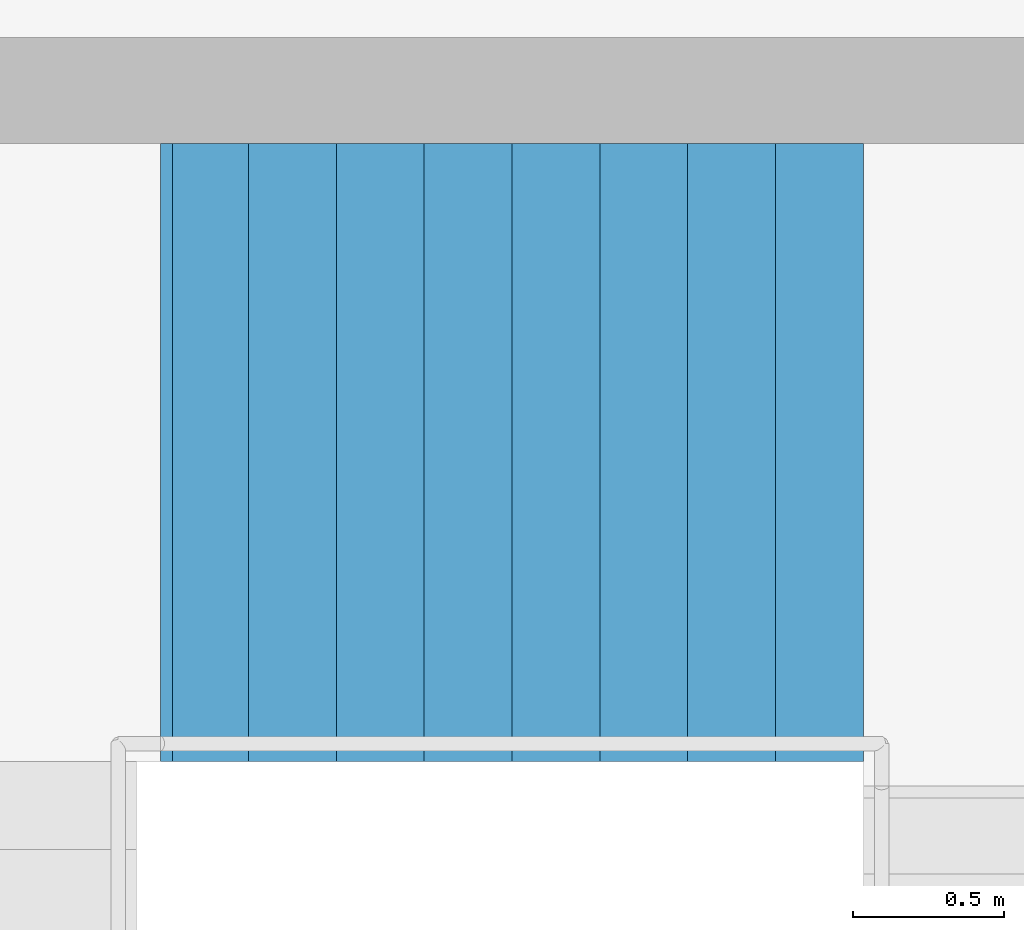
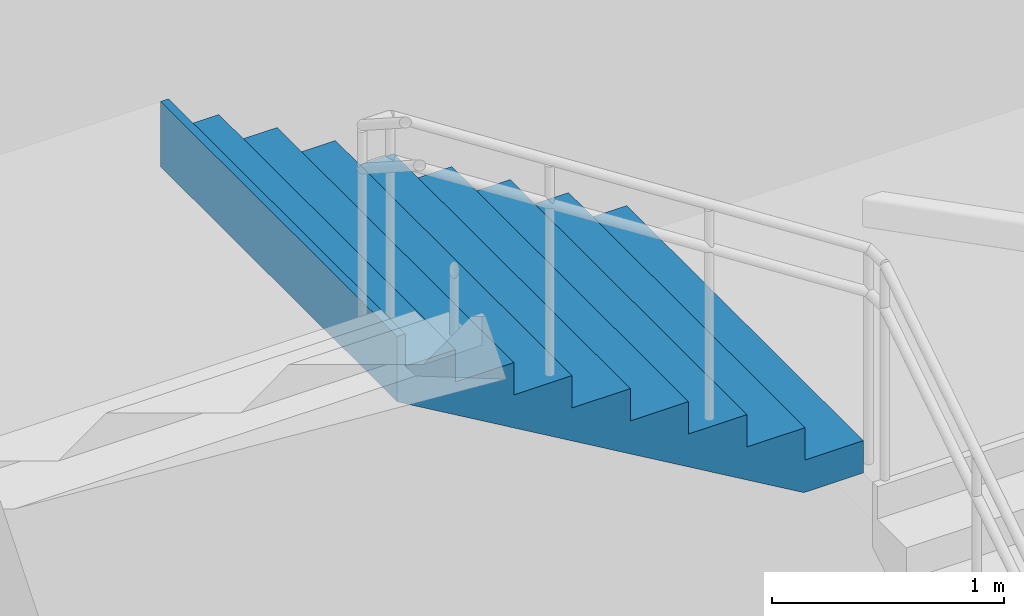
# One storey, part 45 of 58: 1 stair flight, 1 element without a shape of its own.
"""IFC4 building model written with IfcOpenShell, lengths in metres."""

from ifc_helpers import new_model, si_unit, direction, frame, origin, place, context, subcontext, project, spatial, triangles, material, type_object, element, aggregate, save


model = new_model("IFC4")

# Units and contexts
model_context = context("Model", 3, precision=1e-05, world=origin(), true_north=direction((0.0, 1.0)))
body_context = subcontext(model_context, "Body", "Model", "MODEL_VIEW")
ifc_project = project(units=[si_unit("LENGTHUNIT", "METRE"), si_unit("AREAUNIT", "SQUARE_METRE"), si_unit("VOLUMEUNIT", "CUBIC_METRE"), si_unit("PLANEANGLEUNIT", "RADIAN"), si_unit("MASSUNIT", "GRAM", prefix="KILO")], contexts=[model_context])

# Site, building, storey
site_placement = place(None, origin())
site = spatial("IfcSite", under=ifc_project, at=site_placement, CompositionType="ELEMENT")
building_placement = place(site_placement, origin())
building = spatial("IfcBuilding", under=site, at=building_placement, Name="Sillaruma Civic Art Gallery", CompositionType="ELEMENT")
storey_placement = place(building_placement, frame((0.0, 0.0, 22.43994140625)))
storey = spatial("IfcBuildingStorey", under=building, at=storey_placement, Name="L04", CompositionType="ELEMENT", Elevation=22.43994140625)

# Stair, stair flight
ifc_material = material(Name="Concrete H35 (35 MPa)", Category="concrete")
stair_type = type_object("IfcStairType", Name="STR-4F-36", PredefinedType="USERDEFINED", material=ifc_material)
stair_placement = place(storey_placement, origin())
stair = element("IfcStair", 1, at=stair_placement, inside=storey, type_object=stair_type, Name="Protected Exit Stair ST-03 (West Bar South) (L04)", ObjectType="THREE_RETURN_STAIR", PredefinedType="USERDEFINED")
stair_flight_type = type_object("IfcStairFlightType", Name="SFL-STR-9", PredefinedType="STRAIGHT", material=ifc_material)
stair_flight_placement = place(storey_placement, frame((67.199951171875, 36.8701171875, 3.06005859375), z_axis=(0.0, 0.0, 1.0), x_axis=(-1.0, 0.0, 0.0)))
stair_flight = element("IfcStairFlight", 2, at=stair_flight_placement, type_object=stair_flight_type, Name="ST-03 flight 3", NumberOfRisers=9, NumberOfTreads=8, PredefinedType="STRAIGHT", RiserHeight=0.17, TreadLength=0.29, context=body_context, shape_type="Tessellation", body=[
    triangles([(0.0, -1.02001953125, 0.0), (0.29, -1.02001953125, 0.0), (0.296482, -1.02001953125, 0.0), (0.58, -1.02001953125, 0.1662), (0.87, -1.02001953125, 0.3362), (1.16, -1.02001953125, 0.5062), (1.45, -1.02001953125, 0.6762), (1.74, -1.02001953125, 0.8462), (2.03, -1.02001953125, 1.0162), (2.280068, -1.02001953125, 1.162792), (2.320068, -1.02001953125, 1.18624), (2.320068, -1.02001953125, 1.53), (2.280068, -1.02001953125, 1.53), (2.280068, -1.02001953125, 1.36), (2.03, -1.02001953125, 1.36), (2.03, -1.02001953125, 1.19), (1.74, -1.02001953125, 1.19), (1.74, -1.02001953125, 1.02), (1.45, -1.02001953125, 1.02), (1.45, -1.02001953125, 0.85), (1.16, -1.02001953125, 0.85), (1.16, -1.02001953125, 0.68), (0.87, -1.02001953125, 0.68), (0.87, -1.02001953125, 0.51), (0.58, -1.02001953125, 0.51), (0.58, -1.02001953125, 0.34), (0.296482, -1.02001953125, 0.34), (0.29, -1.02001953125, 0.34), (0.29, -1.02001953125, 0.17), (0.0, -1.02001953125, 0.17), (0.0, -0.05, 0.0), (0.29, -0.05, 0.0), (0.296482, -0.05, 0.0), (0.58, -0.05, 0.1662), (0.87, -0.05, 0.3362), (1.16, -0.05, 0.5062), (1.45, -0.05, 0.6762), (1.74, -0.05, 0.8462), (2.03, -0.05, 1.0162), (2.280068, -0.05, 1.162792), (2.320068, -0.05, 1.18624), (2.320068, -0.05, 1.53), (2.280068, -0.05, 1.53), (2.280068, -0.05, 1.36), (2.03, -0.05, 1.36), (2.03, -0.05, 1.19), (1.74, -0.05, 1.19), (1.74, -0.05, 1.02), (1.45, -0.05, 1.02), (1.45, -0.05, 0.85), (1.16, -0.05, 0.85), (1.16, -0.05, 0.68), (0.87, -0.05, 0.68), (0.87, -0.05, 0.51), (0.58, -0.05, 0.51), (0.58, -0.05, 0.34), (0.296482, -0.05, 0.34), (0.29, -0.05, 0.34), (0.29, -0.05, 0.17), (0.0, -0.05, 0.17), (0.0, -0.0375, 0.0), (0.29, -0.0375, 0.0), (0.296482, -0.0375, 0.0), (0.58, -0.0375, 0.1662), (0.87, -0.0375, 0.3362), (1.16, -0.0375, 0.5062), (1.45, -0.0375, 0.6762), (1.74, -0.0375, 0.8462), (2.03, -0.0375, 1.0162), (2.280068, -0.0375, 1.162792), (2.320068, -0.0375, 1.18624), (2.320068, -0.0375, 1.53), (2.280068, -0.0375, 1.53), (2.280068, -0.0375, 1.36), (2.03, -0.0375, 1.36), (2.03, -0.0375, 1.19), (1.74, -0.0375, 1.19), (1.74, -0.0375, 1.02), (1.45, -0.0375, 1.02), (1.45, -0.0375, 0.85), (1.16, -0.0375, 0.85), (1.16, -0.0375, 0.68), (0.87, -0.0375, 0.68), (0.87, -0.0375, 0.51), (0.58, -0.0375, 0.51), (0.58, -0.0375, 0.34), (0.296482, -0.0375, 0.34), (0.29, -0.0375, 0.34), (0.29, -0.0375, 0.17), (0.0, -0.0375, 0.17), (0.0, -0.025, 0.0), (0.29, -0.025, 0.0), (0.296482, -0.025, 0.0), (0.58, -0.025, 0.1662), (0.87, -0.025, 0.3362), (1.16, -0.025, 0.5062), (1.45, -0.025, 0.6762), (1.74, -0.025, 0.8462), (2.03, -0.025, 1.0162), (2.280068, -0.025, 1.162792), (2.320068, -0.025, 1.18624), (2.320068, -0.025, 1.53), (2.280068, -0.025, 1.53), (2.280068, -0.025, 1.36), (2.03, -0.025, 1.36), (2.03, -0.025, 1.19), (1.74, -0.025, 1.19), (1.74, -0.025, 1.02), (1.45, -0.025, 1.02), (1.45, -0.025, 0.85), (1.16, -0.025, 0.85), (1.16, -0.025, 0.68), (0.87, -0.025, 0.68), (0.87, -0.025, 0.51), (0.58, -0.025, 0.51), (0.58, -0.025, 0.34), (0.296482, -0.025, 0.34), (0.29, -0.025, 0.34), (0.29, -0.025, 0.17), (0.0, -0.025, 0.17), (0.0, -0.0125, 0.0), (0.29, -0.0125, 0.0), (0.296482, -0.0125, 0.0), (0.58, -0.0125, 0.1662), (0.87, -0.0125, 0.3362), (1.16, -0.0125, 0.5062), (1.45, -0.0125, 0.6762), (1.74, -0.0125, 0.8462), (2.03, -0.0125, 1.0162), (2.280068, -0.0125, 1.162792), (2.320068, -0.0125, 1.18624), (2.320068, -0.0125, 1.53), (2.280068, -0.0125, 1.53), (2.280068, -0.0125, 1.36), (2.03, -0.0125, 1.36), (2.03, -0.0125, 1.19), (1.74, -0.0125, 1.19), (1.74, -0.0125, 1.02), (1.45, -0.0125, 1.02), (1.45, -0.0125, 0.85), (1.16, -0.0125, 0.85), (1.16, -0.0125, 0.68), (0.87, -0.0125, 0.68), (0.87, -0.0125, 0.51), (0.58, -0.0125, 0.51), (0.58, -0.0125, 0.34), (0.296482, -0.0125, 0.34), (0.29, -0.0125, 0.34), (0.29, -0.0125, 0.17), (0.0, -0.0125, 0.17), (0.0, 0.0, 0.0), (0.29, 0.0, 0.0), (0.296482, 0.0, 0.0), (0.58, 0.0, 0.1662), (0.87, 0.0, 0.3362), (1.16, 0.0, 0.5062), (1.45, 0.0, 0.6762), (1.74, 0.0, 0.8462), (2.03, 0.0, 1.0162), (2.280068, 0.0, 1.162792), (2.320068, 0.0, 1.18624), (2.320068, 0.0, 1.53), (2.280068, 0.0, 1.53), (2.280068, 0.0, 1.36), (2.03, 0.0, 1.36), (2.03, 0.0, 1.19), (1.74, 0.0, 1.19), (1.74, 0.0, 1.02), (1.45, 0.0, 1.02), (1.45, 0.0, 0.85), (1.16, 0.0, 0.85), (1.16, 0.0, 0.68), (0.87, 0.0, 0.68), (0.87, 0.0, 0.51), (0.58, 0.0, 0.51), (0.58, 0.0, 0.34), (0.296482, 0.0, 0.34), (0.29, 0.0, 0.34), (0.29, 0.0, 0.17), (0.0, 0.0, 0.17), (0.0, 0.0125, 0.0), (0.29, 0.0125, 0.0), (0.296482, 0.0125, 0.0), (0.58, 0.0125, 0.1662), (0.87, 0.0125, 0.3362), (1.16, 0.0125, 0.5062), (1.45, 0.0125, 0.6762), (1.74, 0.0125, 0.8462), (2.03, 0.0125, 1.0162), (2.280068, 0.0125, 1.162792), (2.320068, 0.0125, 1.18624), (2.320068, 0.0125, 1.53), (2.280068, 0.0125, 1.53), (2.280068, 0.0125, 1.36), (2.03, 0.0125, 1.36), (2.03, 0.0125, 1.19), (1.74, 0.0125, 1.19), (1.74, 0.0125, 1.02), (1.45, 0.0125, 1.02), (1.45, 0.0125, 0.85), (1.16, 0.0125, 0.85), (1.16, 0.0125, 0.68), (0.87, 0.0125, 0.68), (0.87, 0.0125, 0.51), (0.58, 0.0125, 0.51), (0.58, 0.0125, 0.34), (0.296482, 0.0125, 0.34), (0.29, 0.0125, 0.34), (0.29, 0.0125, 0.17), (0.0, 0.0125, 0.17), (0.0, 0.025, 0.0), (0.29, 0.025, 0.0), (0.296482, 0.025, 0.0), (0.58, 0.025, 0.1662), (0.87, 0.025, 0.3362), (1.16, 0.025, 0.5062), (1.45, 0.025, 0.6762), (1.74, 0.025, 0.8462), (2.03, 0.025, 1.0162), (2.280068, 0.025, 1.162792), (2.320068, 0.025, 1.18624), (2.320068, 0.025, 1.53), (2.280068, 0.025, 1.53), (2.280068, 0.025, 1.36), (2.03, 0.025, 1.36), (2.03, 0.025, 1.19), (1.74, 0.025, 1.19), (1.74, 0.025, 1.02), (1.45, 0.025, 1.02), (1.45, 0.025, 0.85), (1.16, 0.025, 0.85), (1.16, 0.025, 0.68), (0.87, 0.025, 0.68), (0.87, 0.025, 0.51), (0.58, 0.025, 0.51), (0.58, 0.025, 0.34), (0.296482, 0.025, 0.34), (0.29, 0.025, 0.34), (0.29, 0.025, 0.17), (0.0, 0.025, 0.17), (0.0, 0.0375, 0.0), (0.29, 0.0375, 0.0), (0.296482, 0.0375, 0.0), (0.58, 0.0375, 0.1662), (0.87, 0.0375, 0.3362), (1.16, 0.0375, 0.5062), (1.45, 0.0375, 0.6762), (1.74, 0.0375, 0.8462), (2.03, 0.0375, 1.0162), (2.280068, 0.0375, 1.162792), (2.320068, 0.0375, 1.18624), (2.320068, 0.0375, 1.53), (2.280068, 0.0375, 1.53), (2.280068, 0.0375, 1.36), (2.03, 0.0375, 1.36), (2.03, 0.0375, 1.19), (1.74, 0.0375, 1.19), (1.74, 0.0375, 1.02), (1.45, 0.0375, 1.02), (1.45, 0.0375, 0.85), (1.16, 0.0375, 0.85), (1.16, 0.0375, 0.68), (0.87, 0.0375, 0.68), (0.87, 0.0375, 0.51), (0.58, 0.0375, 0.51), (0.58, 0.0375, 0.34), (0.296482, 0.0375, 0.34), (0.29, 0.0375, 0.34), (0.29, 0.0375, 0.17), (0.0, 0.0375, 0.17), (0.0, 0.05, 0.0), (0.29, 0.05, 0.0), (0.296482, 0.05, 0.0), (0.58, 0.05, 0.1662), (0.87, 0.05, 0.3362), (1.16, 0.05, 0.5062), (1.45, 0.05, 0.6762), (1.74, 0.05, 0.8462), (2.03, 0.05, 1.0162), (2.280068, 0.05, 1.162792), (2.320068, 0.05, 1.18624), (2.320068, 0.05, 1.53), (2.280068, 0.05, 1.53), (2.280068, 0.05, 1.36), (2.03, 0.05, 1.36), (2.03, 0.05, 1.19), (1.74, 0.05, 1.19), (1.74, 0.05, 1.02), (1.45, 0.05, 1.02), (1.45, 0.05, 0.85), (1.16, 0.05, 0.85), (1.16, 0.05, 0.68), (0.87, 0.05, 0.68), (0.87, 0.05, 0.51), (0.58, 0.05, 0.51), (0.58, 0.05, 0.34), (0.296482, 0.05, 0.34), (0.29, 0.05, 0.34), (0.29, 0.05, 0.17), (0.0, 0.05, 0.17), (0.0, 1.02001953125, 0.0), (0.29, 1.02001953125, 0.0), (0.296482, 1.02001953125, 0.0), (0.58, 1.02001953125, 0.1662), (0.87, 1.02001953125, 0.3362), (1.16, 1.02001953125, 0.5062), (1.45, 1.02001953125, 0.6762), (1.74, 1.02001953125, 0.8462), (2.03, 1.02001953125, 1.0162), (2.280068, 1.02001953125, 1.162792), (2.320068, 1.02001953125, 1.18624), (2.320068, 1.02001953125, 1.53), (2.280068, 1.02001953125, 1.53), (2.280068, 1.02001953125, 1.36), (2.03, 1.02001953125, 1.36), (2.03, 1.02001953125, 1.19), (1.74, 1.02001953125, 1.19), (1.74, 1.02001953125, 1.02), (1.45, 1.02001953125, 1.02), (1.45, 1.02001953125, 0.85), (1.16, 1.02001953125, 0.85), (1.16, 1.02001953125, 0.68), (0.87, 1.02001953125, 0.68), (0.87, 1.02001953125, 0.51), (0.58, 1.02001953125, 0.51), (0.58, 1.02001953125, 0.34), (0.296482, 1.02001953125, 0.34), (0.29, 1.02001953125, 0.34), (0.29, 1.02001953125, 0.17), (0.0, 1.02001953125, 0.17)], [[1, 2, 29], [1, 29, 30], [2, 3, 27], [2, 27, 29], [29, 27, 28], [3, 4, 26], [3, 26, 27], [4, 5, 24], [4, 24, 26], [26, 24, 25], [5, 6, 22], [5, 22, 24], [24, 22, 23], [6, 7, 20], [6, 20, 22], [22, 20, 21], [7, 8, 18], [7, 18, 20], [20, 18, 19], [8, 9, 16], [8, 16, 18], [18, 16, 17], [9, 10, 14], [9, 14, 16], [16, 14, 15], [10, 11, 12], [10, 12, 14], [14, 12, 13], [329, 302, 301], [330, 329, 301], [327, 303, 302], [329, 327, 302], [328, 327, 329], [326, 304, 303], [327, 326, 303], [324, 305, 304], [326, 324, 304], [325, 324, 326], [322, 306, 305], [324, 322, 305], [323, 322, 324], [320, 307, 306], [322, 320, 306], [321, 320, 322], [318, 308, 307], [320, 318, 307], [319, 318, 320], [316, 309, 308], [318, 316, 308], [317, 316, 318], [314, 310, 309], [316, 314, 309], [315, 314, 316], [312, 311, 310], [314, 312, 310], [313, 312, 314], [2, 1, 31], [2, 31, 32], [3, 2, 32], [3, 32, 33], [4, 3, 33], [4, 33, 34], [5, 4, 34], [5, 34, 35], [6, 5, 35], [6, 35, 36], [7, 6, 36], [7, 36, 37], [8, 7, 37], [8, 37, 38], [9, 8, 38], [9, 38, 39], [10, 9, 39], [10, 39, 40], [11, 10, 40], [11, 40, 41], [12, 11, 41], [12, 41, 42], [13, 12, 42], [13, 42, 43], [14, 13, 43], [14, 43, 44], [15, 14, 44], [15, 44, 45], [16, 15, 45], [16, 45, 46], [17, 16, 46], [17, 46, 47], [18, 17, 47], [18, 47, 48], [19, 18, 48], [19, 48, 49], [20, 19, 49], [20, 49, 50], [21, 20, 50], [21, 50, 51], [22, 21, 51], [22, 51, 52], [23, 22, 52], [23, 52, 53], [24, 23, 53], [24, 53, 54], [25, 24, 54], [25, 54, 55], [26, 25, 55], [26, 55, 56], [27, 26, 56], [27, 56, 57], [28, 27, 57], [28, 57, 58], [29, 28, 58], [29, 58, 59], [30, 29, 59], [30, 59, 60], [1, 30, 60], [1, 60, 31], [32, 31, 61], [32, 61, 62], [33, 32, 62], [33, 62, 63], [34, 33, 63], [34, 63, 64], [35, 34, 64], [35, 64, 65], [36, 35, 65], [36, 65, 66], [37, 36, 66], [37, 66, 67], [38, 37, 67], [38, 67, 68], [39, 38, 68], [39, 68, 69], [40, 39, 69], [40, 69, 70], [41, 40, 70], [41, 70, 71], [42, 41, 71], [42, 71, 72], [43, 42, 72], [43, 72, 73], [44, 43, 73], [44, 73, 74], [45, 44, 74], [45, 74, 75], [46, 45, 75], [46, 75, 76], [47, 46, 76], [47, 76, 77], [48, 47, 77], [48, 77, 78], [49, 48, 78], [49, 78, 79], [50, 49, 79], [50, 79, 80], [51, 50, 80], [51, 80, 81], [52, 51, 81], [52, 81, 82], [53, 52, 82], [53, 82, 83], [54, 53, 83], [54, 83, 84], [55, 54, 84], [55, 84, 85], [56, 55, 85], [56, 85, 86], [57, 56, 86], [57, 86, 87], [58, 57, 87], [58, 87, 88], [59, 58, 88], [59, 88, 89], [60, 59, 89], [60, 89, 90], [31, 60, 90], [31, 90, 61], [62, 61, 91], [62, 91, 92], [63, 62, 92], [63, 92, 93], [64, 63, 93], [64, 93, 94], [65, 64, 94], [65, 94, 95], [66, 65, 95], [66, 95, 96], [67, 66, 96], [67, 96, 97], [68, 67, 97], [68, 97, 98], [69, 68, 98], [69, 98, 99], [70, 69, 99], [70, 99, 100], [71, 70, 100], [71, 100, 101], [72, 71, 101], [72, 101, 102], [73, 72, 102], [73, 102, 103], [74, 73, 103], [74, 103, 104], [75, 74, 104], [75, 104, 105], [76, 75, 105], [76, 105, 106], [77, 76, 106], [77, 106, 107], [78, 77, 107], [78, 107, 108], [79, 78, 108], [79, 108, 109], [80, 79, 109], [80, 109, 110], [81, 80, 110], [81, 110, 111], [82, 81, 111], [82, 111, 112], [83, 82, 112], [83, 112, 113], [84, 83, 113], [84, 113, 114], [85, 84, 114], [85, 114, 115], [86, 85, 115], [86, 115, 116], [87, 86, 116], [87, 116, 117], [88, 87, 117], [88, 117, 118], [89, 88, 118], [89, 118, 119], [90, 89, 119], [90, 119, 120], [61, 90, 120], [61, 120, 91], [92, 91, 121], [92, 121, 122], [93, 92, 122], [93, 122, 123], [94, 93, 123], [94, 123, 124], [95, 94, 124], [95, 124, 125], [96, 95, 125], [96, 125, 126], [97, 96, 126], [97, 126, 127], [98, 97, 127], [98, 127, 128], [99, 98, 128], [99, 128, 129], [100, 99, 129], [100, 129, 130], [101, 100, 130], [101, 130, 131], [102, 101, 131], [102, 131, 132], [103, 102, 132], [103, 132, 133], [104, 103, 133], [104, 133, 134], [105, 104, 134], [105, 134, 135], [106, 105, 135], [106, 135, 136], [107, 106, 136], [107, 136, 137], [108, 107, 137], [108, 137, 138], [109, 108, 138], [109, 138, 139], [110, 109, 139], [110, 139, 140], [111, 110, 140], [111, 140, 141], [112, 111, 141], [112, 141, 142], [113, 112, 142], [113, 142, 143], [114, 113, 143], [114, 143, 144], [115, 114, 144], [115, 144, 145], [116, 115, 145], [116, 145, 146], [117, 116, 146], [117, 146, 147], [118, 117, 147], [118, 147, 148], [119, 118, 148], [119, 148, 149], [120, 119, 149], [120, 149, 150], [91, 120, 150], [91, 150, 121], [122, 121, 151], [122, 151, 152], [123, 122, 152], [123, 152, 153], [124, 123, 153], [124, 153, 154], [125, 124, 154], [125, 154, 155], [126, 125, 155], [126, 155, 156], [127, 126, 156], [127, 156, 157], [128, 127, 157], [128, 157, 158], [129, 128, 158], [129, 158, 159], [130, 129, 159], [130, 159, 160], [131, 130, 160], [131, 160, 161], [132, 131, 161], [132, 161, 162], [133, 132, 162], [133, 162, 163], [134, 133, 163], [134, 163, 164], [135, 134, 164], [135, 164, 165], [136, 135, 165], [136, 165, 166], [137, 136, 166], [137, 166, 167], [138, 137, 167], [138, 167, 168], [139, 138, 168], [139, 168, 169], [140, 139, 169], [140, 169, 170], [141, 140, 170], [141, 170, 171], [142, 141, 171], [142, 171, 172], [143, 142, 172], [143, 172, 173], [144, 143, 173], [144, 173, 174], [145, 144, 174], [145, 174, 175], [146, 145, 175], [146, 175, 176], [147, 146, 176], [147, 176, 177], [148, 147, 177], [148, 177, 178], [149, 148, 178], [149, 178, 179], [150, 149, 179], [150, 179, 180], [121, 150, 180], [121, 180, 151], [152, 151, 181], [152, 181, 182], [153, 152, 182], [153, 182, 183], [154, 153, 183], [154, 183, 184], [155, 154, 184], [155, 184, 185], [156, 155, 185], [156, 185, 186], [157, 156, 186], [157, 186, 187], [158, 157, 187], [158, 187, 188], [159, 158, 188], [159, 188, 189], [160, 159, 189], [160, 189, 190], [161, 160, 190], [161, 190, 191], [162, 161, 191], [162, 191, 192], [163, 162, 192], [163, 192, 193], [164, 163, 193], [164, 193, 194], [165, 164, 194], [165, 194, 195], [166, 165, 195], [166, 195, 196], [167, 166, 196], [167, 196, 197], [168, 167, 197], [168, 197, 198], [169, 168, 198], [169, 198, 199], [170, 169, 199], [170, 199, 200], [171, 170, 200], [171, 200, 201], [172, 171, 201], [172, 201, 202], [173, 172, 202], [173, 202, 203], [174, 173, 203], [174, 203, 204], [175, 174, 204], [175, 204, 205], [176, 175, 205], [176, 205, 206], [177, 176, 206], [177, 206, 207], [178, 177, 207], [178, 207, 208], [179, 178, 208], [179, 208, 209], [180, 179, 209], [180, 209, 210], [151, 180, 210], [151, 210, 181], [182, 181, 211], [182, 211, 212], [183, 182, 212], [183, 212, 213], [184, 183, 213], [184, 213, 214], [185, 184, 214], [185, 214, 215], [186, 185, 215], [186, 215, 216], [187, 186, 216], [187, 216, 217], [188, 187, 217], [188, 217, 218], [189, 188, 218], [189, 218, 219], [190, 189, 219], [190, 219, 220], [191, 190, 220], [191, 220, 221], [192, 191, 221], [192, 221, 222], [193, 192, 222], [193, 222, 223], [194, 193, 223], [194, 223, 224], [195, 194, 224], [195, 224, 225], [196, 195, 225], [196, 225, 226], [197, 196, 226], [197, 226, 227], [198, 197, 227], [198, 227, 228], [199, 198, 228], [199, 228, 229], [200, 199, 229], [200, 229, 230], [201, 200, 230], [201, 230, 231], [202, 201, 231], [202, 231, 232], [203, 202, 232], [203, 232, 233], [204, 203, 233], [204, 233, 234], [205, 204, 234], [205, 234, 235], [206, 205, 235], [206, 235, 236], [207, 206, 236], [207, 236, 237], [208, 207, 237], [208, 237, 238], [209, 208, 238], [209, 238, 239], [210, 209, 239], [210, 239, 240], [181, 210, 240], [181, 240, 211], [212, 211, 241], [212, 241, 242], [213, 212, 242], [213, 242, 243], [214, 213, 243], [214, 243, 244], [215, 214, 244], [215, 244, 245], [216, 215, 245], [216, 245, 246], [217, 216, 246], [217, 246, 247], [218, 217, 247], [218, 247, 248], [219, 218, 248], [219, 248, 249], [220, 219, 249], [220, 249, 250], [221, 220, 250], [221, 250, 251], [222, 221, 251], [222, 251, 252], [223, 222, 252], [223, 252, 253], [224, 223, 253], [224, 253, 254], [225, 224, 254], [225, 254, 255], [226, 225, 255], [226, 255, 256], [227, 226, 256], [227, 256, 257], [228, 227, 257], [228, 257, 258], [229, 228, 258], [229, 258, 259], [230, 229, 259], [230, 259, 260], [231, 230, 260], [231, 260, 261], [232, 231, 261], [232, 261, 262], [233, 232, 262], [233, 262, 263], [234, 233, 263], [234, 263, 264], [235, 234, 264], [235, 264, 265], [236, 235, 265], [236, 265, 266], [237, 236, 266], [237, 266, 267], [238, 237, 267], [238, 267, 268], [239, 238, 268], [239, 268, 269], [240, 239, 269], [240, 269, 270], [211, 240, 270], [211, 270, 241], [242, 241, 271], [242, 271, 272], [243, 242, 272], [243, 272, 273], [244, 243, 273], [244, 273, 274], [245, 244, 274], [245, 274, 275], [246, 245, 275], [246, 275, 276], [247, 246, 276], [247, 276, 277], [248, 247, 277], [248, 277, 278], [249, 248, 278], [249, 278, 279], [250, 249, 279], [250, 279, 280], [251, 250, 280], [251, 280, 281], [252, 251, 281], [252, 281, 282], [253, 252, 282], [253, 282, 283], [254, 253, 283], [254, 283, 284], [255, 254, 284], [255, 284, 285], [256, 255, 285], [256, 285, 286], [257, 256, 286], [257, 286, 287], [258, 257, 287], [258, 287, 288], [259, 258, 288], [259, 288, 289], [260, 259, 289], [260, 289, 290], [261, 260, 290], [261, 290, 291], [262, 261, 291], [262, 291, 292], [263, 262, 292], [263, 292, 293], [264, 263, 293], [264, 293, 294], [265, 264, 294], [265, 294, 295], [266, 265, 295], [266, 295, 296], [267, 266, 296], [267, 296, 297], [268, 267, 297], [268, 297, 298], [269, 268, 298], [269, 298, 299], [270, 269, 299], [270, 299, 300], [241, 270, 300], [241, 300, 271], [272, 271, 301], [272, 301, 302], [273, 272, 302], [273, 302, 303], [274, 273, 303], [274, 303, 304], [275, 274, 304], [275, 304, 305], [276, 275, 305], [276, 305, 306], [277, 276, 306], [277, 306, 307], [278, 277, 307], [278, 307, 308], [279, 278, 308], [279, 308, 309], [280, 279, 309], [280, 309, 310], [281, 280, 310], [281, 310, 311], [282, 281, 311], [282, 311, 312], [283, 282, 312], [283, 312, 313], [284, 283, 313], [284, 313, 314], [285, 284, 314], [285, 314, 315], [286, 285, 315], [286, 315, 316], [287, 286, 316], [287, 316, 317], [288, 287, 317], [288, 317, 318], [289, 288, 318], [289, 318, 319], [290, 289, 319], [290, 319, 320], [291, 290, 320], [291, 320, 321], [292, 291, 321], [292, 321, 322], [293, 292, 322], [293, 322, 323], [294, 293, 323], [294, 323, 324], [295, 294, 324], [295, 324, 325], [296, 295, 325], [296, 325, 326], [297, 296, 326], [297, 326, 327], [298, 297, 327], [298, 327, 328], [299, 298, 328], [299, 328, 329], [300, 299, 329], [300, 329, 330], [271, 300, 330], [271, 330, 301]], closed=True),
])
aggregate(stair, [stair_flight])

save(model, "model.ifc")
